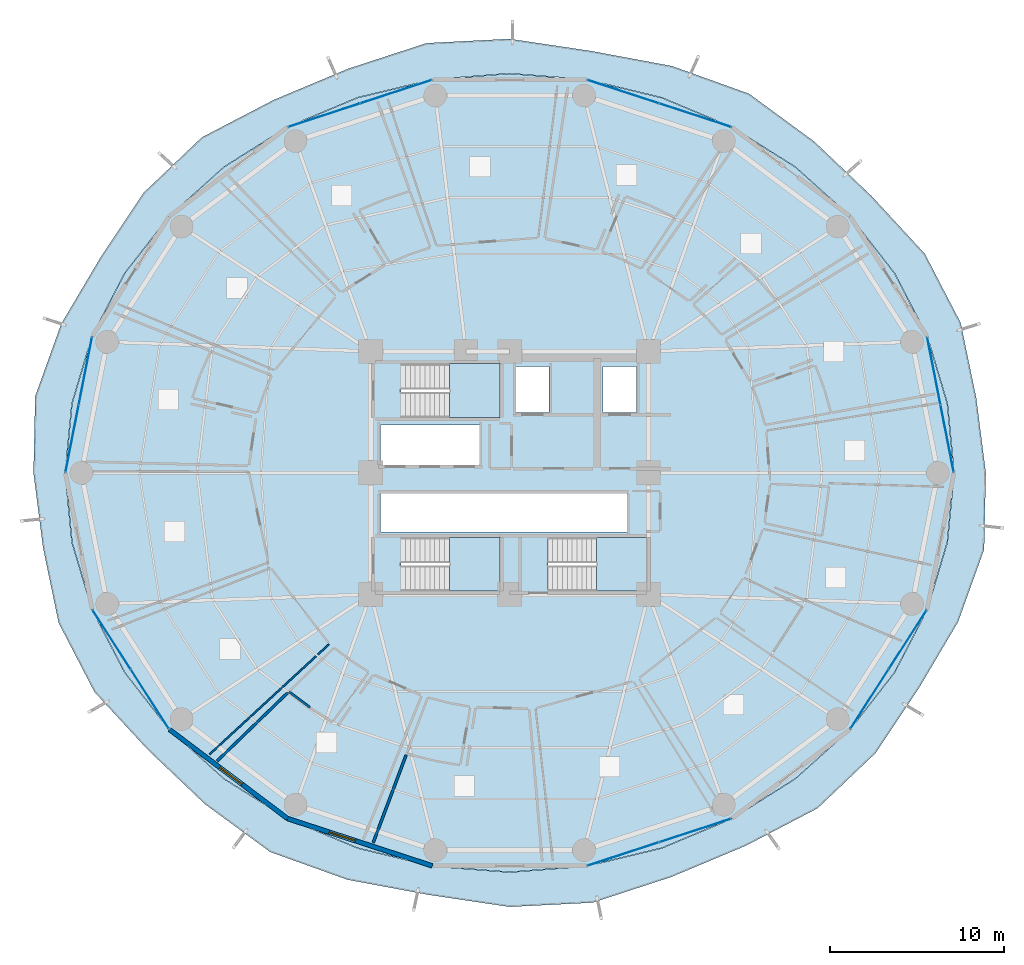
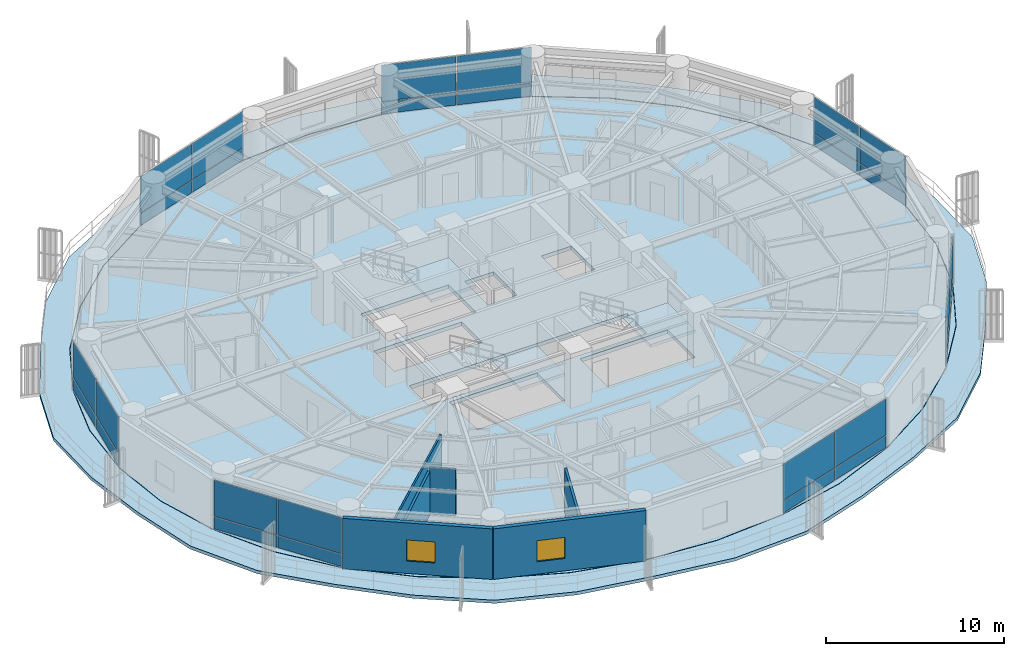
# One storey, part 24 of 33: 28 plates, 6 walls, 5 slabs, 2 windows, 2 openings, 10 elements without a shape of their own.
"""IFC4 building model written with IfcOpenShell, lengths in metres."""

from ifc_helpers import new_model, si_unit, direction, frame, frame_2d, origin, origin_2d, place, context, subcontext, project, spatial, polyline, rectangle, outline, extrude, source, transform, mapped, material, layer, layer_set, type_object, element, fill, aggregate, save


model = new_model("IFC4")

# Units and contexts
model_context = context("Model", 3, precision=1e-05, world=origin(), true_north=direction((0.0, 1.0)))
body_context = subcontext(model_context, "Body", "Model", "MODEL_VIEW")
ifc_project = project(units=[si_unit("LENGTHUNIT", "METRE"), si_unit("AREAUNIT", "SQUARE_METRE"), si_unit("VOLUMEUNIT", "CUBIC_METRE"), si_unit("PLANEANGLEUNIT", "RADIAN"), si_unit("MASSUNIT", "GRAM", prefix="KILO")], contexts=[model_context])

# Site, building, storey
site_placement = place(None, origin())
site = spatial("IfcSite", under=ifc_project, at=site_placement, CompositionType="ELEMENT")
building_placement = place(site_placement, origin())
building = spatial("IfcBuilding", under=site, at=building_placement, Name="Kelanora Arch Commons", CompositionType="ELEMENT")
storey_placement = place(building_placement, frame((0.0, 0.0, 83.85009765625)))
storey = spatial("IfcBuildingStorey", under=building, at=storey_placement, Name="L21", CompositionType="ELEMENT", Elevation=83.85009765625)

# Stair, slab
ifc_material_1 = material(Name="Concrete C40/50", Category="concrete")
stair_type = type_object("IfcStairType", Name="STR-DL-375", PredefinedType="HALF_TURN_STAIR", material=ifc_material_1)
stair_1_placement = place(storey_placement, origin())
stair_1 = element("IfcStair", 1, at=stair_1_placement, inside=storey, type_object=stair_type, Name="L21 ST-T1", PredefinedType="HALF_TURN_STAIR")
ifc_layer_1 = layer(ifc_material_1, 0.199951171875)
ifc_layer_set_1 = layer_set([ifc_layer_1], Name="Concrete C40/50")
slab_type_1 = type_object("IfcSlabType", Name="SLB-STAIR-LND", PredefinedType="LANDING", material=ifc_layer_set_1)
slab_1_placement = place(storey_placement, frame((0.0, 0.0, 1.6748046875)))
slab_1 = element("IfcSlab", 2, at=slab_1_placement, type_object=slab_type_1, Name="ST-T1 landing 1", PredefinedType="LANDING", context=body_context, shape_type="SweptSolid", body=[
    extrude(outline(polyline([(70.52001953125, 61.179931640625), (73.43994140625, 61.179931640625), (73.43994140625, 64.2900390625), (70.52001953125, 64.2900390625), (70.52001953125, 61.179931640625)])), origin(), (0.0, 0.0, 1.0), 0.2001953125),
])
aggregate(stair_1, [slab_1])

stair_2_placement = place(storey_placement, origin())
stair_2 = element("IfcStair", 3, at=stair_2_placement, inside=storey, type_object=stair_type, Name="L21 ST-T2", PredefinedType="HALF_TURN_STAIR")
slab_2_placement = place(storey_placement, frame((0.0, 0.0, 1.6748046875)))
slab_2 = element("IfcSlab", 4, at=slab_2_placement, type_object=slab_type_1, Name="ST-T2 landing 1", PredefinedType="LANDING", context=body_context, shape_type="SweptSolid", body=[
    extrude(outline(polyline([(79.0, 51.179931640625), (81.919921875, 51.179931640625), (81.919921875, 54.2900390625), (79.0, 54.2900390625), (79.0, 51.179931640625)])), origin(), (0.0, 0.0, 1.0), 0.2001953125),
])
aggregate(stair_2, [slab_2])

stair_3_placement = place(storey_placement, origin())
stair_3 = element("IfcStair", 5, at=stair_3_placement, inside=storey, type_object=stair_type, Name="L21 ST-T3", PredefinedType="HALF_TURN_STAIR")
slab_3_placement = place(storey_placement, frame((0.0, 0.0, 1.6748046875)))
slab_3 = element("IfcSlab", 6, at=slab_3_placement, type_object=slab_type_1, Name="ST-T3 landing 1", PredefinedType="LANDING", context=body_context, shape_type="SweptSolid", body=[
    extrude(outline(polyline([(70.52001953125, 51.179931640625), (73.43994140625, 51.179931640625), (73.43994140625, 54.2900390625), (70.52001953125, 54.2900390625), (70.52001953125, 51.179931640625)])), origin(), (0.0, 0.0, 1.0), 0.2001953125),
])
aggregate(stair_3, [slab_3])

# Slabs
ifc_layer_2 = layer(ifc_material_1, 0.260009765625)
ifc_layer_set_2 = layer_set([ifc_layer_2], Name="Concrete C40/50")
slab_type_2 = type_object("IfcSlabType", Name="SLB-TWR-TYP", PredefinedType="FLOOR", material=ifc_layer_set_2)
slab_4_placement = place(storey_placement, frame((0.0, 0.0, -0.260009765625)))
element("IfcSlab", 7, at=slab_4_placement, inside=storey, type_object=slab_type_2, Name="Tower Floor Slab L21", PredefinedType="FLOOR", context=body_context, shape_type="SweptSolid", body=[
    extrude(outline(polyline([(99.60009765625, 58.0), (99.211181640625, 61.993896484375), (98.05615234375, 65.866455078125), (96.17041015625, 69.5), (93.610595703125, 72.7841796875), (90.455322265625, 75.618896484375), (86.800048828125, 77.918701171875), (82.755615234375, 79.61279296875), (78.4453125, 80.650634765625), (74.0, 81.0), (69.5546875, 80.650634765625), (65.244384765625, 79.61279296875), (61.199951171875, 77.918701171875), (57.544677734375, 75.618896484375), (54.389404296875, 72.7841796875), (51.82958984375, 69.5), (49.94384765625, 65.866455078125), (48.788818359375, 61.993896484375), (48.39990234375, 58.0), (48.788818359375, 54.006103515625), (49.94384765625, 50.133544921875), (51.82958984375, 46.5), (54.389404296875, 43.2158203125), (57.544677734375, 40.381103515625), (61.199951171875, 38.081298828125), (65.244384765625, 36.38720703125), (69.5546875, 35.349365234375), (74.0, 35.0), (78.4453125, 35.349365234375), (82.755615234375, 36.38720703125), (86.800048828125, 38.081298828125), (90.455322265625, 40.381103515625), (93.610595703125, 43.2158203125), (96.17041015625, 46.5), (98.05615234375, 50.133544921875), (99.211181640625, 54.006103515625), (99.60009765625, 58.0)]), holes=[polyline([(73.431884765625, 51.18798828125), (67.72802734375, 51.18798828125), (67.72802734375, 54.281982421875), (73.431884765625, 54.281982421875), (73.431884765625, 51.18798828125)]), polyline([(76.2080078125, 51.18798828125), (76.2080078125, 54.281982421875), (81.912109375, 54.281982421875), (81.912109375, 51.18798828125), (76.2080078125, 51.18798828125)]), polyline([(66.550048828125, 54.60009765625), (66.550048828125, 56.800048828125), (80.75, 56.800048828125), (80.75, 54.60009765625), (66.550048828125, 54.60009765625)]), polyline([(66.550048828125, 58.449951171875), (66.550048828125, 60.75), (72.25, 60.75), (72.25, 58.449951171875), (66.550048828125, 58.449951171875)]), polyline([(67.72802734375, 61.18798828125), (67.72802734375, 64.281982421875), (73.431884765625, 64.281982421875), (73.431884765625, 61.18798828125), (67.72802734375, 61.18798828125)]), polyline([(74.3798828125, 61.47998046875), (74.3798828125, 64.1201171875), (76.260009765625, 64.1201171875), (76.260009765625, 61.47998046875), (74.3798828125, 61.47998046875)]), polyline([(79.3798828125, 61.47998046875), (79.3798828125, 64.1201171875), (81.320068359375, 64.1201171875), (81.320068359375, 61.47998046875), (79.3798828125, 61.47998046875)])]), origin(), (0.0, 0.0, 1.0), 0.260009765625),
])
ifc_layer_3 = layer(ifc_material_1, 0.219970703125)
ifc_layer_set_3 = layer_set([ifc_layer_3], Name="Concrete C40/50")
slab_type_3 = type_object("IfcSlabType", Name="SLB-WAVE-BAL", PredefinedType="FLOOR", material=ifc_layer_set_3)
slab_5_placement = place(storey_placement, frame((0.0, 0.0, -0.22021484375)))
element("IfcSlab", 8, at=slab_5_placement, inside=storey, type_object=slab_type_3, Name="Sinusoidal Wave Balcony Slab L21", PredefinedType="FLOOR", context=body_context, shape_type="SweptSolid", body=[
    extrude(outline(polyline([(101.438232421875, 58.0), (100.886474609375, 62.32275390625), (99.98828125, 66.649169921875), (97.923828125, 70.626953125), (94.8583984375, 73.949462890625), (91.56201171875, 77.0869140625), (87.79931640625, 79.844970703125), (83.353759765625, 81.44140625), (78.7080078125, 82.3076171875), (74.0, 83.009521484375), (69.2197265625, 82.7646484375), (64.6962890625, 81.288818359375), (60.38818359375, 79.483642578125), (56.256103515625, 77.328125), (52.9208984375, 74.155517578125), (50.41845703125, 70.406982421875), (48.160888671875, 66.5888671875), (46.659423828125, 62.411865234375), (46.561767578125, 58.0), (47.113525390625, 53.67724609375), (48.01171875, 49.350830078125), (50.076171875, 45.373046875), (53.1416015625, 42.050537109375), (56.43798828125, 38.9130859375), (60.20068359375, 36.155029296875), (64.646240234375, 34.55859375), (69.2919921875, 33.6923828125), (74.0, 32.990478515625), (78.7802734375, 33.2353515625), (83.3037109375, 34.711181640625), (87.61181640625, 36.516357421875), (91.743896484375, 38.671875), (95.0791015625, 41.844482421875), (97.58154296875, 45.593017578125), (99.839111328125, 49.4111328125), (101.340576171875, 53.588134765625), (101.438232421875, 58.0)]), holes=[polyline([(99.230712890625, 54.002685546875), (98.074951171875, 50.126708984375), (96.1875, 46.489990234375), (93.626220703125, 43.202880859375), (90.46826171875, 40.36572265625), (86.81005859375, 38.064208984375), (82.7626953125, 36.368408203125), (78.448974609375, 35.32958984375), (74.0, 34.97998046875), (69.551025390625, 35.32958984375), (65.2373046875, 36.368408203125), (61.18994140625, 38.064208984375), (57.53173828125, 40.36572265625), (54.373779296875, 43.202880859375), (51.8125, 46.489990234375), (49.925048828125, 50.126708984375), (48.769287109375, 54.002685546875), (48.3798828125, 58.0), (48.769287109375, 61.997314453125), (49.925048828125, 65.873291015625), (51.8125, 69.510009765625), (54.373779296875, 72.797119140625), (57.53173828125, 75.63427734375), (61.18994140625, 77.935791015625), (65.2373046875, 79.631591796875), (69.551025390625, 80.67041015625), (74.0, 81.02001953125), (78.448974609375, 80.67041015625), (82.7626953125, 79.631591796875), (86.81005859375, 77.935791015625), (90.46826171875, 75.63427734375), (93.626220703125, 72.797119140625), (96.1875, 69.510009765625), (98.074951171875, 65.873291015625), (99.230712890625, 61.997314453125), (99.6201171875, 58.0), (99.230712890625, 54.002685546875)])]), origin(), (0.0, 0.0, 1.0), 0.22021484375),
])

# Curtain wall, plates
ifc_material_2 = material(Name="Terracotta ceramic-fritted low-E glass and aluminium", Category="masonry")
ifc_layer_4 = layer(ifc_material_2, 0.159912109375)
ifc_layer_set_4 = layer_set([ifc_layer_4], Name="Terracotta ceramic-fritted low-E glass and aluminium")
curtain_wall_type = type_object("IfcCurtainWallType", Name="CW-SYS-01", PredefinedType="NOTDEFINED", material=ifc_layer_set_4)
curtain_wall_1_placement = place(storey_placement, origin())
curtain_wall_1 = element("IfcCurtainWall", 9, at=curtain_wall_1_placement, inside=storey, type_object=curtain_wall_type, Name="Unitised Curtain Wall L21-B00", PredefinedType="NOTDEFINED")
ifc_material_3 = material(Name="Terracotta ceramic-fritted double glazing", Category="masonry")
ifc_layer_5 = layer(ifc_material_3, 0.028076171875)
ifc_layer_set_5 = layer_set([ifc_layer_5], Name="Terracotta ceramic-fritted double glazing")
plate_type = type_object("IfcPlateType", Name="CWP-FRIT", PredefinedType="CURTAIN_PANEL", material=ifc_layer_set_5)
shared_shape_1 = source(origin(), body_context, "Body", "SweptSolid", [
    extrude(rectangle(XDim=3.9033203125, YDim=0.028076171875, at=origin_2d()), origin(), (0.0, 0.0, 1.0), 0.81005859375),
])
plate_1_placement = place(storey_placement, frame((99.209716796875, 59.98876953125, 0.059814453125), z_axis=(0.0, 0.0, 1.0), x_axis=(-0.192584916272, 0.981280311646, 0.0)))
plate_1 = element("IfcPlate", 10, at=plate_1_placement, type_object=plate_type, Name="CW-01 panel 1.1", PredefinedType="CURTAIN_PANEL", context=body_context, shape_type="MappedRepresentation", body=[
    mapped(shared_shape_1, transform((0.0, 0.0, 0.0), scale=1.0)),
])
plate_2_placement = place(storey_placement, frame((98.446533203125, 63.877685546875, 0.059814453125), z_axis=(0.0, 0.0, 1.0), x_axis=(-0.192584916272, 0.981280311646, 0.0)))
plate_2 = element("IfcPlate", 11, at=plate_2_placement, type_object=plate_type, Name="CW-01 panel 2.1", PredefinedType="CURTAIN_PANEL", context=body_context, shape_type="MappedRepresentation", body=[
    mapped(shared_shape_1, transform((0.0, 0.0, 0.0), scale=1.0)),
])

curtain_wall_2_placement = place(storey_placement, origin())
curtain_wall_2 = element("IfcCurtainWall", 12, at=curtain_wall_2_placement, inside=storey, type_object=curtain_wall_type, Name="Unitised Curtain Wall L21-B08", PredefinedType="NOTDEFINED")
plate_3_placement = place(storey_placement, frame((49.553466796875, 63.877685546875, 0.059814453125), z_axis=(0.0, 0.0, 1.0), x_axis=(-0.192584916272, -0.981280311646, 0.0)))
plate_3 = element("IfcPlate", 13, at=plate_3_placement, type_object=plate_type, Name="CW-01 panel 1.1", PredefinedType="CURTAIN_PANEL", context=body_context, shape_type="MappedRepresentation", body=[
    mapped(shared_shape_1, transform((0.0, 0.0, 0.0), scale=1.0)),
])
plate_4_placement = place(storey_placement, frame((48.790283203125, 59.98876953125, 0.059814453125), z_axis=(0.0, 0.0, 1.0), x_axis=(-0.192584916272, -0.981280311646, 0.0)))
plate_4 = element("IfcPlate", 14, at=plate_4_placement, type_object=plate_type, Name="CW-01 panel 2.1", PredefinedType="CURTAIN_PANEL", context=body_context, shape_type="MappedRepresentation", body=[
    mapped(shared_shape_1, transform((0.0, 0.0, 0.0), scale=1.0)),
])

# Plate
shared_shape_2 = source(origin(), body_context, "Body", "SweptSolid", [
    extrude(rectangle(XDim=3.9033203125, YDim=0.028076171875, at=origin_2d()), origin(), (0.0, 0.0, 1.0), 2.485107421875),
])
plate_5_placement = place(storey_placement, frame((99.209716796875, 59.98876953125, 0.9296875), z_axis=(0.0, 0.0, 1.0), x_axis=(-0.192584916272, 0.981280311646, 0.0)))
plate_5 = element("IfcPlate", 15, at=plate_5_placement, type_object=plate_type, Name="CW-01 panel 1.2", PredefinedType="CURTAIN_PANEL", context=body_context, shape_type="MappedRepresentation", body=[
    mapped(shared_shape_2, transform((0.0, 0.0, 0.0), scale=1.0)),
])

plate_6_placement = place(storey_placement, frame((98.446533203125, 63.877685546875, 0.9296875), z_axis=(0.0, 0.0, 1.0), x_axis=(-0.192584916272, 0.981280311646, 0.0)))
plate_6 = element("IfcPlate", 16, at=plate_6_placement, type_object=plate_type, Name="CW-01 panel 2.2", PredefinedType="CURTAIN_PANEL", context=body_context, shape_type="MappedRepresentation", body=[
    mapped(shared_shape_2, transform((0.0, 0.0, 0.0), scale=1.0)),
])

aggregate(curtain_wall_1, [plate_1, plate_5, plate_2, plate_6])

plate_7_placement = place(storey_placement, frame((49.553466796875, 63.877685546875, 0.9296875), z_axis=(0.0, 0.0, 1.0), x_axis=(-0.192584916272, -0.981280311646, 0.0)))
plate_7 = element("IfcPlate", 17, at=plate_7_placement, type_object=plate_type, Name="CW-01 panel 1.2", PredefinedType="CURTAIN_PANEL", context=body_context, shape_type="MappedRepresentation", body=[
    mapped(shared_shape_2, transform((0.0, 0.0, 0.0), scale=1.0)),
])

plate_8_placement = place(storey_placement, frame((48.790283203125, 59.98876953125, 0.9296875), z_axis=(0.0, 0.0, 1.0), x_axis=(-0.192584916272, -0.981280311646, 0.0)))
plate_8 = element("IfcPlate", 18, at=plate_8_placement, type_object=plate_type, Name="CW-01 panel 2.2", PredefinedType="CURTAIN_PANEL", context=body_context, shape_type="MappedRepresentation", body=[
    mapped(shared_shape_2, transform((0.0, 0.0, 0.0), scale=1.0)),
])

aggregate(curtain_wall_2, [plate_3, plate_7, plate_4, plate_8])

# Curtain wall, plates
curtain_wall_3_placement = place(storey_placement, origin())
curtain_wall_3 = element("IfcCurtainWall", 19, at=curtain_wall_3_placement, inside=storey, type_object=curtain_wall_type, Name="Unitised Curtain Wall L21-B03", PredefinedType="NOTDEFINED")
shared_shape_3 = source(origin(), body_context, "Body", "SweptSolid", [
    extrude(rectangle(XDim=4.2900390625, YDim=0.028076171875, at=origin_2d()), origin(), (0.0, 0.0, 1.0), 0.81005859375),
])
plate_9_placement = place(storey_placement, frame((84.68994140625, 78.608642578125, 0.059814453125), z_axis=(0.0, 0.0, 1.0), x_axis=(-0.950473795867, 0.31080470294, 0.0)))
plate_9 = element("IfcPlate", 20, at=plate_9_placement, type_object=plate_type, Name="CW-01 panel 1.1", PredefinedType="CURTAIN_PANEL", context=body_context, shape_type="MappedRepresentation", body=[
    mapped(shared_shape_3, transform((0.0, 0.0, 0.0), scale=1.0)),
])
plate_10_placement = place(storey_placement, frame((80.555419921875, 79.960693359375, 0.059814453125), z_axis=(0.0, 0.0, 1.0), x_axis=(-0.950473795867, 0.31080470294, 0.0)))
plate_10 = element("IfcPlate", 21, at=plate_10_placement, type_object=plate_type, Name="CW-01 panel 2.1", PredefinedType="CURTAIN_PANEL", context=body_context, shape_type="MappedRepresentation", body=[
    mapped(shared_shape_3, transform((0.0, 0.0, 0.0), scale=1.0)),
])

curtain_wall_4_placement = place(storey_placement, origin())
curtain_wall_4 = element("IfcCurtainWall", 22, at=curtain_wall_4_placement, inside=storey, type_object=curtain_wall_type, Name="Unitised Curtain Wall L21-B05", PredefinedType="NOTDEFINED")
plate_11_placement = place(storey_placement, frame((67.444580078125, 79.960693359375, 0.059814453125), z_axis=(0.0, 0.0, 1.0), x_axis=(-0.950473795867, -0.31080470294, 0.0)))
plate_11 = element("IfcPlate", 23, at=plate_11_placement, type_object=plate_type, Name="CW-01 panel 1.1", PredefinedType="CURTAIN_PANEL", context=body_context, shape_type="MappedRepresentation", body=[
    mapped(shared_shape_3, transform((0.0, 0.0, 0.0), scale=1.0)),
])
plate_12_placement = place(storey_placement, frame((63.31005859375, 78.608642578125, 0.059814453125), z_axis=(0.0, 0.0, 1.0), x_axis=(-0.950473795867, -0.31080470294, 0.0)))
plate_12 = element("IfcPlate", 24, at=plate_12_placement, type_object=plate_type, Name="CW-01 panel 2.1", PredefinedType="CURTAIN_PANEL", context=body_context, shape_type="MappedRepresentation", body=[
    mapped(shared_shape_3, transform((0.0, 0.0, 0.0), scale=1.0)),
])

curtain_wall_5_placement = place(storey_placement, origin())
curtain_wall_5 = element("IfcCurtainWall", 25, at=curtain_wall_5_placement, inside=storey, type_object=curtain_wall_type, Name="Unitised Curtain Wall L21-B14", PredefinedType="NOTDEFINED")
plate_13_placement = place(storey_placement, frame((80.555419921875, 36.039306640625, 0.059814453125), z_axis=(0.0, 0.0, 1.0), x_axis=(0.950473795867, 0.31080470294, 0.0)))
plate_13 = element("IfcPlate", 26, at=plate_13_placement, type_object=plate_type, Name="CW-01 panel 1.1", PredefinedType="CURTAIN_PANEL", context=body_context, shape_type="MappedRepresentation", body=[
    mapped(shared_shape_3, transform((0.0, 0.0, 0.0), scale=1.0)),
])
plate_14_placement = place(storey_placement, frame((84.68994140625, 37.391357421875, 0.059814453125), z_axis=(0.0, 0.0, 1.0), x_axis=(0.950473795867, 0.31080470294, 0.0)))
plate_14 = element("IfcPlate", 27, at=plate_14_placement, type_object=plate_type, Name="CW-01 panel 2.1", PredefinedType="CURTAIN_PANEL", context=body_context, shape_type="MappedRepresentation", body=[
    mapped(shared_shape_3, transform((0.0, 0.0, 0.0), scale=1.0)),
])

# Plate
shared_shape_4 = source(origin(), body_context, "Body", "SweptSolid", [
    extrude(rectangle(XDim=4.2900390625, YDim=0.028076171875, at=origin_2d()), origin(), (0.0, 0.0, 1.0), 2.485107421875),
])
plate_15_placement = place(storey_placement, frame((84.68994140625, 78.608642578125, 0.9296875), z_axis=(0.0, 0.0, 1.0), x_axis=(-0.950473795867, 0.31080470294, 0.0)))
plate_15 = element("IfcPlate", 28, at=plate_15_placement, type_object=plate_type, Name="CW-01 panel 1.2", PredefinedType="CURTAIN_PANEL", context=body_context, shape_type="MappedRepresentation", body=[
    mapped(shared_shape_4, transform((0.0, 0.0, 0.0), scale=1.0)),
])

plate_16_placement = place(storey_placement, frame((80.555419921875, 79.960693359375, 0.9296875), z_axis=(0.0, 0.0, 1.0), x_axis=(-0.950473795867, 0.31080470294, 0.0)))
plate_16 = element("IfcPlate", 29, at=plate_16_placement, type_object=plate_type, Name="CW-01 panel 2.2", PredefinedType="CURTAIN_PANEL", context=body_context, shape_type="MappedRepresentation", body=[
    mapped(shared_shape_4, transform((0.0, 0.0, 0.0), scale=1.0)),
])

aggregate(curtain_wall_3, [plate_9, plate_15, plate_10, plate_16])

plate_17_placement = place(storey_placement, frame((67.444580078125, 79.960693359375, 0.9296875), z_axis=(0.0, 0.0, 1.0), x_axis=(-0.950473795867, -0.31080470294, 0.0)))
plate_17 = element("IfcPlate", 30, at=plate_17_placement, type_object=plate_type, Name="CW-01 panel 1.2", PredefinedType="CURTAIN_PANEL", context=body_context, shape_type="MappedRepresentation", body=[
    mapped(shared_shape_4, transform((0.0, 0.0, 0.0), scale=1.0)),
])

plate_18_placement = place(storey_placement, frame((63.31005859375, 78.608642578125, 0.9296875), z_axis=(0.0, 0.0, 1.0), x_axis=(-0.950473795867, -0.31080470294, 0.0)))
plate_18 = element("IfcPlate", 31, at=plate_18_placement, type_object=plate_type, Name="CW-01 panel 2.2", PredefinedType="CURTAIN_PANEL", context=body_context, shape_type="MappedRepresentation", body=[
    mapped(shared_shape_4, transform((0.0, 0.0, 0.0), scale=1.0)),
])

aggregate(curtain_wall_4, [plate_11, plate_17, plate_12, plate_18])

plate_19_placement = place(storey_placement, frame((80.555419921875, 36.039306640625, 0.9296875), z_axis=(0.0, 0.0, 1.0), x_axis=(0.950473795867, 0.31080470294, 0.0)))
plate_19 = element("IfcPlate", 32, at=plate_19_placement, type_object=plate_type, Name="CW-01 panel 1.2", PredefinedType="CURTAIN_PANEL", context=body_context, shape_type="MappedRepresentation", body=[
    mapped(shared_shape_4, transform((0.0, 0.0, 0.0), scale=1.0)),
])

plate_20_placement = place(storey_placement, frame((84.68994140625, 37.391357421875, 0.9296875), z_axis=(0.0, 0.0, 1.0), x_axis=(0.950473795867, 0.31080470294, 0.0)))
plate_20 = element("IfcPlate", 33, at=plate_20_placement, type_object=plate_type, Name="CW-01 panel 2.2", PredefinedType="CURTAIN_PANEL", context=body_context, shape_type="MappedRepresentation", body=[
    mapped(shared_shape_4, transform((0.0, 0.0, 0.0), scale=1.0)),
])

aggregate(curtain_wall_5, [plate_13, plate_19, plate_14, plate_20])

# Curtain wall, plates
curtain_wall_6_placement = place(storey_placement, origin())
curtain_wall_6 = element("IfcCurtainWall", 34, at=curtain_wall_6_placement, inside=storey, type_object=curtain_wall_type, Name="Unitised Curtain Wall L21-B10", PredefinedType="NOTDEFINED")
shared_shape_5 = source(origin(), body_context, "Body", "SweptSolid", [
    extrude(rectangle(XDim=4.00634765625, YDim=0.028076171875, at=origin_2d()), origin(), (0.0, 0.0, 1.0), 0.81005859375),
])
plate_21_placement = place(storey_placement, frame((51.0673828125, 48.38525390625, 0.059814453125), z_axis=(0.0, 0.0, 1.0), x_axis=(0.540616931244, -0.841268883088, 0.0)))
plate_21 = element("IfcPlate", 35, at=plate_21_placement, type_object=plate_type, Name="CW-01 panel 1.1", PredefinedType="CURTAIN_PANEL", context=body_context, shape_type="MappedRepresentation", body=[
    mapped(shared_shape_5, transform((0.0, 0.0, 0.0), scale=1.0)),
])
plate_22_placement = place(storey_placement, frame((53.265869140625, 44.964111328125, 0.059814453125), z_axis=(0.0, 0.0, 1.0), x_axis=(0.540616931244, -0.841268883088, 0.0)))
plate_22 = element("IfcPlate", 36, at=plate_22_placement, type_object=plate_type, Name="CW-01 panel 2.1", PredefinedType="CURTAIN_PANEL", context=body_context, shape_type="MappedRepresentation", body=[
    mapped(shared_shape_5, transform((0.0, 0.0, 0.0), scale=1.0)),
])

curtain_wall_7_placement = place(storey_placement, origin())
curtain_wall_7 = element("IfcCurtainWall", 37, at=curtain_wall_7_placement, inside=storey, type_object=curtain_wall_type, Name="Unitised Curtain Wall L21-B16", PredefinedType="NOTDEFINED")
plate_23_placement = place(storey_placement, frame((94.734130859375, 44.964111328125, 0.059814453125), z_axis=(0.0, 0.0, 1.0), x_axis=(0.540616931244, 0.841268883088, 0.0)))
plate_23 = element("IfcPlate", 38, at=plate_23_placement, type_object=plate_type, Name="CW-01 panel 1.1", PredefinedType="CURTAIN_PANEL", context=body_context, shape_type="MappedRepresentation", body=[
    mapped(shared_shape_5, transform((0.0, 0.0, 0.0), scale=1.0)),
])
plate_24_placement = place(storey_placement, frame((96.9326171875, 48.38525390625, 0.059814453125), z_axis=(0.0, 0.0, 1.0), x_axis=(0.540616931244, 0.841268883088, 0.0)))
plate_24 = element("IfcPlate", 39, at=plate_24_placement, type_object=plate_type, Name="CW-01 panel 2.1", PredefinedType="CURTAIN_PANEL", context=body_context, shape_type="MappedRepresentation", body=[
    mapped(shared_shape_5, transform((0.0, 0.0, 0.0), scale=1.0)),
])

# Plate
shared_shape_6 = source(origin(), body_context, "Body", "SweptSolid", [
    extrude(rectangle(XDim=4.00634765625, YDim=0.028076171875, at=origin_2d()), origin(), (0.0, 0.0, 1.0), 2.485107421875),
])
plate_25_placement = place(storey_placement, frame((51.0673828125, 48.38525390625, 0.9296875), z_axis=(0.0, 0.0, 1.0), x_axis=(0.540616931244, -0.841268883088, 0.0)))
plate_25 = element("IfcPlate", 40, at=plate_25_placement, type_object=plate_type, Name="CW-01 panel 1.2", PredefinedType="CURTAIN_PANEL", context=body_context, shape_type="MappedRepresentation", body=[
    mapped(shared_shape_6, transform((0.0, 0.0, 0.0), scale=1.0)),
])

plate_26_placement = place(storey_placement, frame((53.265869140625, 44.964111328125, 0.9296875), z_axis=(0.0, 0.0, 1.0), x_axis=(0.540616931244, -0.841268883088, 0.0)))
plate_26 = element("IfcPlate", 41, at=plate_26_placement, type_object=plate_type, Name="CW-01 panel 2.2", PredefinedType="CURTAIN_PANEL", context=body_context, shape_type="MappedRepresentation", body=[
    mapped(shared_shape_6, transform((0.0, 0.0, 0.0), scale=1.0)),
])

aggregate(curtain_wall_6, [plate_21, plate_25, plate_22, plate_26])

plate_27_placement = place(storey_placement, frame((94.734130859375, 44.964111328125, 0.9296875), z_axis=(0.0, 0.0, 1.0), x_axis=(0.540616931244, 0.841268883088, 0.0)))
plate_27 = element("IfcPlate", 42, at=plate_27_placement, type_object=plate_type, Name="CW-01 panel 1.2", PredefinedType="CURTAIN_PANEL", context=body_context, shape_type="MappedRepresentation", body=[
    mapped(shared_shape_6, transform((0.0, 0.0, 0.0), scale=1.0)),
])

plate_28_placement = place(storey_placement, frame((96.9326171875, 48.38525390625, 0.9296875), z_axis=(0.0, 0.0, 1.0), x_axis=(0.540616931244, 0.841268883088, 0.0)))
plate_28 = element("IfcPlate", 43, at=plate_28_placement, type_object=plate_type, Name="CW-01 panel 2.2", PredefinedType="CURTAIN_PANEL", context=body_context, shape_type="MappedRepresentation", body=[
    mapped(shared_shape_6, transform((0.0, 0.0, 0.0), scale=1.0)),
])

aggregate(curtain_wall_7, [plate_23, plate_27, plate_24, plate_28])

# Walls
ifc_material_4 = material(Name="Autoclaved aerated concrete blockwork with fire plaster", Category="masonry")
ifc_layer_6 = layer(ifc_material_4, 0.14990234375)
ifc_layer_set_6 = layer_set([ifc_layer_6], Name="Autoclaved aerated concrete blockwork with fire plaster")
wall_type_1 = type_object("IfcWallType", Name="W-COMP-150", PredefinedType="PARTITIONING", material=ifc_layer_set_6)
wall_1_placement = place(storey_placement, frame((57.149658203125, 41.40087890625, 0.0), z_axis=(0.0, 0.0, 1.0), x_axis=(0.718527749954, 0.695498290829, 0.0)))
element("IfcWall", 44, at=wall_1_placement, inside=storey, type_object=wall_type_1, Name="Co-Living Studio L21-10 Enclosure Partition 5", PredefinedType="PARTITIONING", context=body_context, shape_type="SweptSolid", body=[
    extrude(rectangle(XDim=5.6611328125, YDim=0.14990234375, at=frame_2d((2.83056640625, 0.0))), origin(), (0.0, 0.0, 1.0), 2.974853515625),
])
wall_2_placement = place(storey_placement, frame((66.13916015625, 36.6943359375, 0.0), z_axis=(0.0, 0.0, 1.0), x_axis=(0.351589591196, 0.936154239088, 0.0)))
element("IfcWall", 45, at=wall_2_placement, inside=storey, type_object=wall_type_1, Name="Co-Living Studio L21-11 Enclosure Partition 5", PredefinedType="PARTITIONING", context=body_context, shape_type="SweptSolid", body=[
    extrude(rectangle(XDim=5.394775390625, YDim=0.14990234375, at=frame_2d((2.697265625, 0.0))), origin(), (0.0, 0.0, 1.0), 2.974853515625),
])

# Wall, opening, window
ifc_material_5 = material(Name="Precast concrete C40/50 with terracotta rainscreen", Category="masonry")
ifc_layer_7 = layer(ifc_material_5, 0.260009765625)
ifc_layer_set_7 = layer_set([ifc_layer_7], Name="Precast concrete C40/50 with terracotta rainscreen")
wall_type_2 = type_object("IfcWallType", Name="W-EXT-TC", PredefinedType="SOLIDWALL", material=ifc_layer_set_7)
wall_3_placement = place(storey_placement, frame((54.4013671875, 43.206787109375, 0.0), z_axis=(0.0, 0.0, 1.0), x_axis=(0.798501507879, -0.601992808857, 0.0)))
wall_3 = element("IfcWall", 46, at=wall_3_placement, inside=storey, type_object=wall_type_2, Name="Terracotta Exterior Wall L21-B11", PredefinedType="SOLIDWALL", context=body_context, shape_type="SweptSolid", body=[
    extrude(rectangle(XDim=8.499267578125, YDim=0.260009765625, at=frame_2d((4.24951171875, 0.0))), origin(), (0.0, 0.0, 1.0), 3.474853515625),
])
opening_1_placement = place(wall_3_placement, frame((3.6298828125, 0.0, 0.85009765625)))
opening_1 = element("IfcOpeningElement", 47, at=opening_1_placement, cuts=wall_3, Name="Opening WN-01", PredefinedType="OPENING", context=body_context, shape_type="SweptSolid", body=[
    extrude(rectangle(XDim=1.60009765625, YDim=1.449951171875, at=frame_2d((0.800048828125, 0.72509765625))), frame((0.0, 0.14013671875, 0.0), z_axis=(0.0, -1.0, 0.0), x_axis=(1.0, 0.0, 0.0)), (0.0, 0.0, 1.0), 0.280029296875),
])
ifc_material_6 = material(Name="Terracotta-anodised aluminium frame with operable low-E glazing", Category="masonry")
window_type = type_object("IfcWindowType", Name="WIN-CL-18", PartitioningType="DOUBLE_PANEL_VERTICAL", PredefinedType="WINDOW", material=ifc_material_6)
window_1_placement = place(opening_1_placement, origin())
window_1 = element("IfcWindow", 48, at=window_1_placement, inside=storey, type_object=window_type, Name="Co-Living Operable Window L21-B11", OverallHeight=1.449951171875, OverallWidth=1.60009765625, PartitioningType="SINGLE_PANEL", PredefinedType="WINDOW", context=body_context, shape_type="SweptSolid", body=[
    extrude(rectangle(XDim=1.60009765625, YDim=1.449951171875, at=frame_2d((0.800048828125, 0.72509765625))), frame((0.0, 0.030029296875, 0.0), z_axis=(0.0, -1.0, 0.0), x_axis=(1.0, 0.0, 0.0)), (0.0, 0.0, 1.0), 0.06005859375),
])
fill(opening_1, window_1)

wall_4_placement = place(storey_placement, frame((61.21435546875, 38.07666015625, 0.0), z_axis=(0.0, 0.0, 1.0), x_axis=(0.950471101963, -0.310812941064, 0.0)))
wall_4 = element("IfcWall", 49, at=wall_4_placement, inside=storey, type_object=wall_type_2, Name="Terracotta Exterior Wall L21-B12", PredefinedType="SOLIDWALL", context=body_context, shape_type="SweptSolid", body=[
    extrude(rectangle(XDim=8.759765625, YDim=0.260009765625, at=frame_2d((4.3798828125, 0.0))), origin(), (0.0, 0.0, 1.0), 3.474853515625),
])
opening_2_placement = place(wall_4_placement, frame((2.5, 0.0, 0.85009765625)))
opening_2 = element("IfcOpeningElement", 50, at=opening_2_placement, cuts=wall_4, Name="Opening WN-01", PredefinedType="OPENING", context=body_context, shape_type="SweptSolid", body=[
    extrude(rectangle(XDim=1.60009765625, YDim=1.449951171875, at=frame_2d((0.800048828125, 0.72509765625))), frame((0.0, 0.14013671875, 0.0), z_axis=(0.0, -1.0, 0.0), x_axis=(1.0, 0.0, 0.0)), (0.0, 0.0, 1.0), 0.280029296875),
])
window_2_placement = place(opening_2_placement, origin())
window_2 = element("IfcWindow", 51, at=window_2_placement, inside=storey, type_object=window_type, Name="Co-Living Operable Window L21-B12", OverallHeight=1.449951171875, OverallWidth=1.60009765625, PartitioningType="SINGLE_PANEL", PredefinedType="WINDOW", context=body_context, shape_type="SweptSolid", body=[
    extrude(rectangle(XDim=1.60009765625, YDim=1.449951171875, at=frame_2d((0.800048828125, 0.72509765625))), frame((0.0, 0.030029296875, 0.0), z_axis=(0.0, -1.0, 0.0), x_axis=(1.0, 0.0, 0.0)), (0.0, 0.0, 1.0), 0.06005859375),
])
fill(opening_2, window_2)

# Walls
ifc_material_7 = material(Name="Lightweight fire-rated acoustic stud partition")
ifc_layer_8 = layer(ifc_material_7, 0.10009765625)
ifc_layer_set_8 = layer_set([ifc_layer_8], Name="Lightweight fire-rated acoustic stud partition")
wall_type_3 = type_object("IfcWallType", Name="W-PART-100", PredefinedType="PARTITIONING", material=ifc_layer_set_8)
wall_5_placement = place(storey_placement, frame((63.586669921875, 48.118896484375, 0.0), z_axis=(0.0, 0.0, 1.0), x_axis=(-0.735387084409, -0.677647279995, 0.0)))
element("IfcWall", 52, at=wall_5_placement, inside=storey, type_object=wall_type_3, Name="Communal Dining and Social Hall L21-09 Enclosure Partition 2", PredefinedType="PARTITIONING", context=body_context, shape_type="SweptSolid", body=[
    extrude(rectangle(XDim=9.361328125, YDim=0.10009765625, at=frame_2d((4.6806640625, 0.0))), origin(), (0.0, 0.0, 1.0), 2.974853515625),
])
ifc_material_8 = material(Name="Moisture-resistant fire-rated cement-board plumbing wall")
ifc_layer_9 = layer(ifc_material_8, 0.1298828125)
ifc_layer_set_9 = layer_set([ifc_layer_9], Name="Moisture-resistant fire-rated cement-board plumbing wall")
wall_type_4 = type_object("IfcWallType", Name="W-WET-120", PredefinedType="PLUMBINGWALL", material=ifc_layer_set_9)
wall_6_placement = place(storey_placement, frame((62.47802734375, 44.488037109375, 0.0), z_axis=(0.0, 0.0, 1.0), x_axis=(-0.798935684124, 0.601416471868, 0.0)))
element("IfcWall", 53, at=wall_6_placement, inside=storey, type_object=wall_type_4, Name="En-Suite Shower WC L21-10 Enclosure Partition 5", PredefinedType="PLUMBINGWALL", context=body_context, shape_type="SweptSolid", body=[
    extrude(rectangle(XDim=1.48828125, YDim=0.1298828125, at=frame_2d((0.744140625, 0.0))), origin(), (0.0, 0.0, 1.0), 3.1748046875),
])

save(model, "model.ifc")
